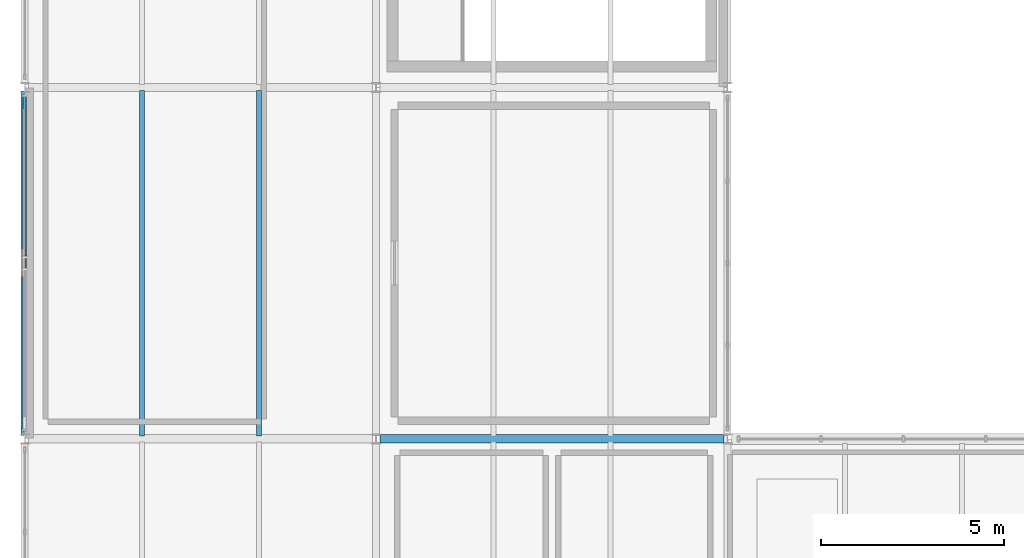
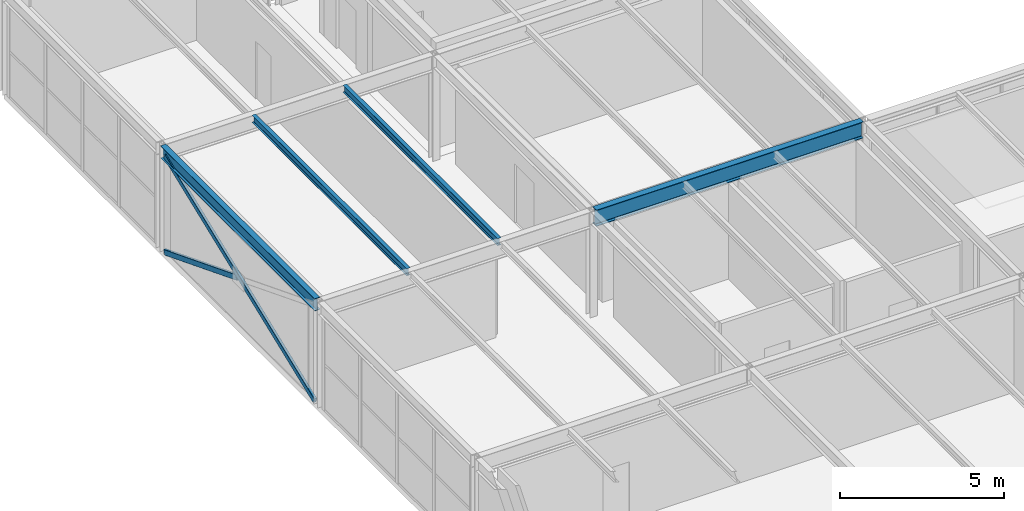
# One storey, part 13 of 33: 4 beams, 2 members.
"""IFC4 building model written with IfcOpenShell, lengths in metres."""

from ifc_helpers import new_model, si_unit, direction, frame, origin, origin_2d, place, context, subcontext, project, spatial, hollow_rectangle, i_section, extrude, material, material_profile, profile_set, type_object, element, save


model = new_model("IFC4")

# Units and contexts
model_context = context("Model", 3, precision=1e-05, world=origin(), true_north=direction((0.0, 1.0)))
body_context = subcontext(model_context, "Body", "Model", "MODEL_VIEW")
ifc_project = project(units=[si_unit("LENGTHUNIT", "METRE"), si_unit("AREAUNIT", "SQUARE_METRE"), si_unit("VOLUMEUNIT", "CUBIC_METRE"), si_unit("PLANEANGLEUNIT", "RADIAN"), si_unit("MASSUNIT", "GRAM", prefix="KILO")], contexts=[model_context])

# Site, building, storey
site_placement = place(None, origin())
site = spatial("IfcSite", under=ifc_project, at=site_placement, CompositionType="ELEMENT")
building_placement = place(site_placement, origin())
building = spatial("IfcBuilding", under=site, at=building_placement, Name="Coralgate Yard Interchange", CompositionType="ELEMENT")
storey_placement = place(building_placement, frame((0.0, 0.0, 23.10009765625)))
storey = spatial("IfcBuildingStorey", under=building, at=storey_placement, Name="L05", CompositionType="ELEMENT", Elevation=23.10009765625)

# Beams
ifc_material = material(Name="Structural steel S355J2", Category="steel")
ifc_material_profile_1 = material_profile(ifc_material, i_section(OverallWidth=0.1904296875, OverallDepth=0.45703125, WebThickness=0.009033203125, FlangeThickness=0.014404296875, FilletRadius=0.01025390625, at=origin_2d()), Name="UB 457x191x74")
ifc_profile_set_1 = profile_set([ifc_material_profile_1], Name="Structural steel S355J2")
beam_type_1 = type_object("IfcBeamType", Name="BM-SB-2", PredefinedType="BEAM", material=ifc_profile_set_1)
beam_1_placement = place(storey_placement, frame((0.0, 19.300048828125, 3.69140625), z_axis=(0.0, 1.0, 0.0), x_axis=(-1.0, 0.0, 0.0)))
element("IfcBeam", 1, at=beam_1_placement, inside=storey, type_object=beam_type_1, Name="L05 primary grid girder X0 Y2-3", PredefinedType="BEAM", context=body_context, shape_type="SweptSolid", body=[
    extrude(i_section(OverallWidth=0.1904296875, OverallDepth=0.45703125, WebThickness=0.009033203125, FlangeThickness=0.014404296875, FilletRadius=0.01025390625, at=origin_2d()), origin(), (0.0, 0.0, 1.0), 9.399658203125),
])
ifc_material_profile_2 = material_profile(ifc_material, i_section(OverallWidth=0.228271484375, OverallDepth=0.607666015625, WebThickness=0.010986328125, FlangeThickness=0.017333984375, FilletRadius=0.0126953125, at=origin_2d()), Name="UB 610x229x113")
ifc_profile_set_2 = profile_set([ifc_material_profile_2], Name="Structural steel S355J2")
beam_type_2 = type_object("IfcBeamType", Name="BM-SG-5", PredefinedType="BEAM", material=ifc_profile_set_2)
beam_2_placement = place(storey_placement, frame((9.6982421875, 19.199951171875, 3.6162109375), z_axis=(1.0, 0.0, 0.0), x_axis=(0.0, 1.0, 0.0)))
element("IfcBeam", 2, at=beam_2_placement, inside=storey, type_object=beam_type_2, Name="L05 primary grid beam Y2 X1-2", PredefinedType="BEAM", context=body_context, shape_type="SweptSolid", body=[
    extrude(i_section(OverallWidth=0.228271484375, OverallDepth=0.607666015625, WebThickness=0.010986328125, FlangeThickness=0.017333984375, FilletRadius=0.0126953125, at=origin_2d()), origin(), (0.0, 0.0, 1.0), 9.403564453125),
])
ifc_material_profile_3 = material_profile(ifc_material, i_section(OverallWidth=0.135009765625, OverallDepth=0.27001953125, WebThickness=0.006591796875, FlangeThickness=0.01025390625, FilletRadius=0.014892578125, at=origin_2d()), Name="IPE 270")
ifc_profile_set_3 = profile_set([ifc_material_profile_3], Name="Structural steel S355J2")
beam_type_3 = type_object("IfcBeamType", Name="BM-SJ-3", PredefinedType="JOIST", material=ifc_profile_set_3)
for number, where, z_axis, x_axis, name in (
    (3, (3.199951171875, 19.2841796875, 3.784912109375), (0.0, 1.0, 0.0), (-1.0, 0.0, 0.0), "L05 composite floor joist 0-2-1"),
    (4, (6.39990234375, 19.2841796875, 3.784912109375), (0.0, 1.0, 0.0), (-1.0, 0.0, 0.0), "L05 composite floor joist 0-2-2"),
):
    element("IfcBeam", number, at=place(storey_placement, frame(where, z_axis=z_axis, x_axis=x_axis)), inside=storey, type_object=beam_type_3, Name=name, PredefinedType="JOIST", context=body_context, shape_type="SweptSolid", body=[
        extrude(i_section(OverallWidth=0.135009765625, OverallDepth=0.27001953125, WebThickness=0.006591796875, FlangeThickness=0.01025390625, FilletRadius=0.014892578125, at=origin_2d()), origin(), (0.0, 0.0, 1.0), 9.431640625),
    ])

# Members
ifc_material_profile_4 = material_profile(ifc_material, hollow_rectangle(XDim=0.10009765625, YDim=0.199951171875, WallThickness=0.008056640625, InnerFilletRadius=0.008056640625, OuterFilletRadius=0.01611328125, at=origin_2d()), Name="RHS 200x100x8")
ifc_profile_set_4 = profile_set([ifc_material_profile_4], Name="Structural steel S355J2")
member_type = type_object("IfcMemberType", Name="MB-BR-4", PredefinedType="BRACE", material=ifc_profile_set_4)
member_1_placement = place(storey_placement, frame((0.0, 19.43994140625, 0.02001953125), z_axis=(0.0, 0.930858066805, 0.365380978519), x_axis=(-1.0, 0.0, 0.0)))
element("IfcMember", 5, at=member_1_placement, inside=storey, type_object=member_type, Name="L05 continuous concentric X-brace W-A", PredefinedType="BRACE", context=body_context, shape_type="SweptSolid", body=[
    extrude(hollow_rectangle(XDim=0.10009765625, YDim=0.199951171875, WallThickness=0.008056640625, InnerFilletRadius=0.008056640625, OuterFilletRadius=0.01611328125, at=origin_2d()), origin(), (0.0, 0.0, 1.0), 9.797607421875),
])
member_2_placement = place(storey_placement, frame((0.0, 28.56005859375, 0.02001953125), z_axis=(0.0, -0.930852096163, 0.365396189182), x_axis=(1.0, 0.0, 0.0)))
element("IfcMember", 6, at=member_2_placement, inside=storey, type_object=member_type, Name="L05 split concentric X-brace W-B1", PredefinedType="BRACE", context=body_context, shape_type="SweptSolid", body=[
    extrude(hollow_rectangle(XDim=0.10009765625, YDim=0.199951171875, WallThickness=0.008056640625, InnerFilletRadius=0.008056640625, OuterFilletRadius=0.01611328125, at=origin_2d()), origin(), (0.0, 0.0, 1.0), 4.7177734375),
])

save(model, "model.ifc")
